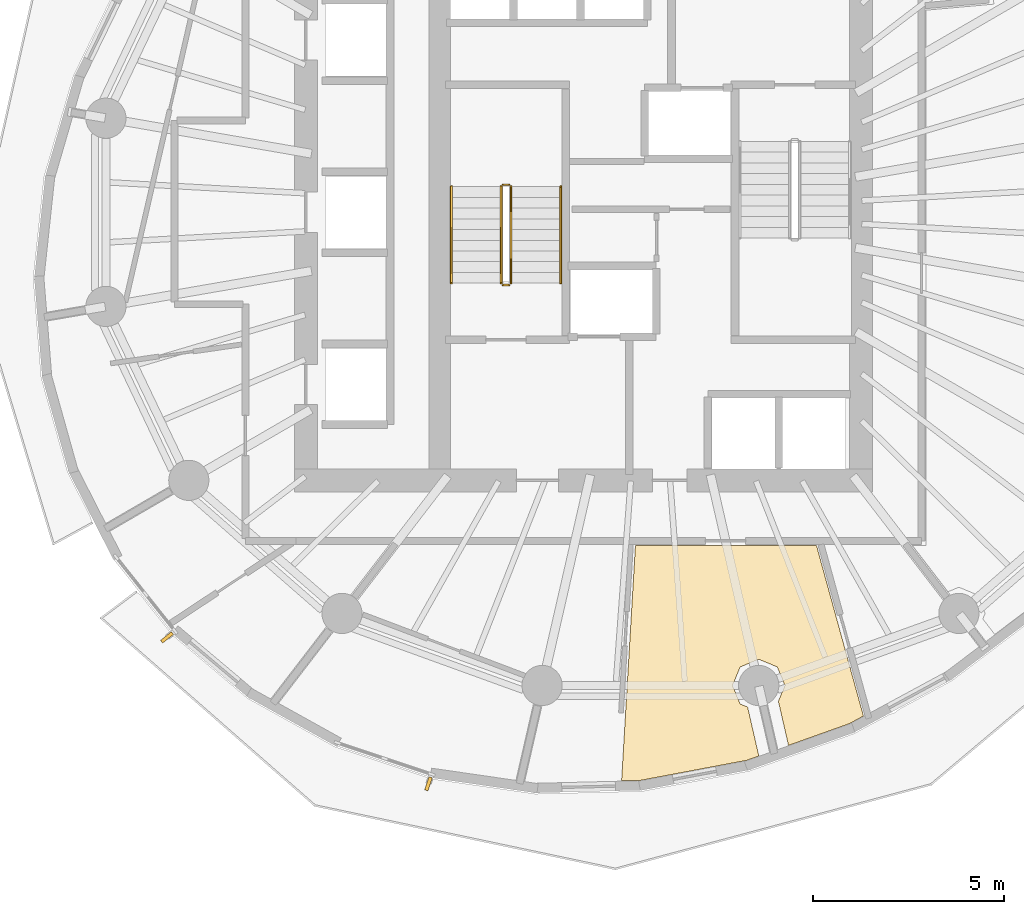
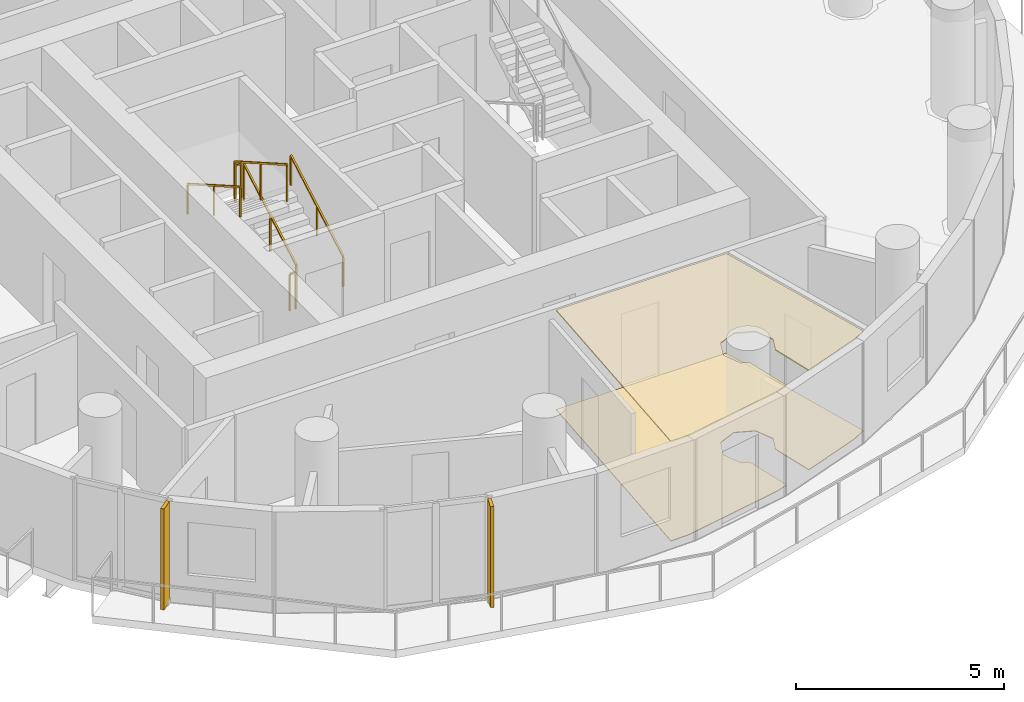
# One storey, part 8 of 12: 6 railings, 2 coverings, 2 shading devices.
"""IFC4 building model written with IfcOpenShell, lengths in metres."""

from ifc_helpers import new_model, si_unit, direction, frame, origin, origin_2d, place, context, subcontext, project, spatial, polyline, rectangle, outline, extrude, material, layer, layer_set, type_object, element, save


model = new_model("IFC4")

# Units and contexts
model_context = context("Model", 3, precision=1e-05, world=origin(), true_north=direction((0.0, 1.0)))
body_context = subcontext(model_context, "Body", "Model", "MODEL_VIEW")
ifc_project = project(units=[si_unit("LENGTHUNIT", "METRE"), si_unit("AREAUNIT", "SQUARE_METRE"), si_unit("VOLUMEUNIT", "CUBIC_METRE"), si_unit("PLANEANGLEUNIT", "RADIAN"), si_unit("MASSUNIT", "GRAM", prefix="KILO")], contexts=[model_context])

# Site, building, storey
site_placement = place(None, origin())
site = spatial("IfcSite", under=ifc_project, at=site_placement, CompositionType="ELEMENT")
building_placement = place(site_placement, origin())
building = spatial("IfcBuilding", under=site, at=building_placement, Name="Veldorim Arch Residences", CompositionType="ELEMENT")
storey_placement = place(building_placement, frame((0.0, 0.0, 136.159912109375)))
storey = spatial("IfcBuildingStorey", under=building, at=storey_placement, Name="L40", CompositionType="ELEMENT", Elevation=136.159912109375)

# Railings
ifc_material_1 = material(Name="Steel S355", Category="steel")
railing_type_1 = type_object("IfcRailingType", Name="Galvanised Steel Stair Safety Guardrail 1100", PredefinedType="GUARDRAIL", material=ifc_material_1)
railing_1_placement = place(storey_placement, frame((28.360107421875, 22.14990234375, 0.16015625)))
element("IfcRailing", 1, at=railing_1_placement, inside=storey, type_object=railing_type_1, Name="L40 ST-1 stair guard 1", PredefinedType="GUARDRAIL", context=body_context, shape_type="SweptSolid", body=[
    extrude(rectangle(XDim=0.048095703125, YDim=0.048095703125, at=origin_2d()), frame((0.0, 0.0, 1.076171875), z_axis=(0.0, 0.868253494771, 0.496120820787), x_axis=(-1.0, 0.0, 0.0)), (0.0, 0.0, 1.0), 2.90234375),
    extrude(rectangle(XDim=0.0419921875, YDim=0.0419921875, at=origin_2d()), origin(), (0.0, 0.0, 1.0), 1.052001953125),
    extrude(rectangle(XDim=0.0419921875, YDim=0.0419921875, at=origin_2d()), frame((0.0, 1.260009765625, 0.719970703125)), (0.0, 0.0, 1.0), 1.052001953125),
    extrude(rectangle(XDim=0.0419921875, YDim=0.0419921875, at=origin_2d()), frame((0.0, 2.52001953125, 1.43994140625)), (0.0, 0.0, 1.0), 1.052001953125),
])
railing_2_placement = place(storey_placement, frame((28.31005859375, 24.719970703125, 1.60009765625)))
element("IfcRailing", 2, at=railing_2_placement, inside=storey, type_object=railing_type_1, Name="L40 ST-1 stair guard 2", PredefinedType="GUARDRAIL", context=body_context, shape_type="SweptSolid", body=[
    extrude(rectangle(XDim=0.048095703125, YDim=0.048095703125, at=origin_2d()), frame((0.0, 0.0, 1.076171875), z_axis=(-1.0, 0.0, 0.0), x_axis=(0.0, -1.0, 0.0)), (0.0, 0.0, 1.0), 0.16015625),
    extrude(rectangle(XDim=0.0419921875, YDim=0.0419921875, at=origin_2d()), origin(), (0.0, 0.0, 1.0), 1.052001953125),
    extrude(rectangle(XDim=0.0419921875, YDim=0.0419921875, at=origin_2d()), frame((-0.16015625, 0.0, 0.0)), (0.0, 0.0, 1.0), 1.052001953125),
])
railing_3_placement = place(storey_placement, frame((28.10009765625, 24.669921875, 1.760009765625)))
element("IfcRailing", 3, at=railing_3_placement, inside=storey, type_object=railing_type_1, Name="L40 ST-1 stair guard 3", PredefinedType="GUARDRAIL", context=body_context, shape_type="SweptSolid", body=[
    extrude(rectangle(XDim=0.048095703125, YDim=0.048095703125, at=origin_2d()), frame((0.0, 0.0, 1.076171875), z_axis=(0.0, -0.868217259934, 0.496184229447), x_axis=(1.0, 0.0, 0.0)), (0.0, 0.0, 1.0), 2.902587890625),
    extrude(rectangle(XDim=0.0419921875, YDim=0.0419921875, at=origin_2d()), origin(), (0.0, 0.0, 1.0), 1.052001953125),
    extrude(rectangle(XDim=0.0419921875, YDim=0.0419921875, at=origin_2d()), frame((0.0, -1.260009765625, 0.72021484375)), (0.0, 0.0, 1.0), 1.052001953125),
    extrude(rectangle(XDim=0.0419921875, YDim=0.0419921875, at=origin_2d()), frame((0.0, -2.52001953125, 1.440185546875)), (0.0, 0.0, 1.0), 1.052001953125),
])
railing_4_placement = place(storey_placement, frame((28.31005859375, 22.10009765625, 0.0)))
element("IfcRailing", 4, at=railing_4_placement, inside=storey, type_object=railing_type_1, Name="L40 ST-1 stair guard 4", PredefinedType="GUARDRAIL", context=body_context, shape_type="SweptSolid", body=[
    extrude(rectangle(XDim=0.048095703125, YDim=0.048095703125, at=origin_2d()), frame((0.0, 0.0, 1.076171875), z_axis=(-1.0, 0.0, 0.0), x_axis=(0.0, -1.0, 0.0)), (0.0, 0.0, 1.0), 0.16015625),
    extrude(rectangle(XDim=0.0419921875, YDim=0.0419921875, at=origin_2d()), origin(), (0.0, 0.0, 1.0), 1.052001953125),
    extrude(rectangle(XDim=0.0419921875, YDim=0.0419921875, at=origin_2d()), frame((-0.16015625, 0.0, 0.0)), (0.0, 0.0, 1.0), 1.052001953125),
])

# Coverings
ifc_material_2 = material(Name="Acoustic Gypsum & Mineral Fibre", Category="gypsum")
ifc_layer_1 = layer(ifc_material_2, 0.034912109375, Name="Perforated Acoustic Mineral-Fibre Ceiling 35")
ifc_layer_set_1 = layer_set([ifc_layer_1], Name="Acoustic Gypsum & Mineral Fibre")
covering_type_1 = type_object("IfcCoveringType", Name="Perforated Acoustic Mineral-Fibre Ceiling 35", PredefinedType="CEILING", material=ifc_layer_set_1)
covering_1_placement = place(storey_placement, frame((0.0, 0.0, 2.905029296875)))
element("IfcCovering", 5, at=covering_1_placement, inside=storey, type_object=covering_type_1, Name="L40 acoustic suspended ceiling 01", PredefinedType="CEILING", context=body_context, shape_type="SweptSolid", body=[
    extrude(outline(polyline([(35.513671875, 11.64208984375), (35.31298828125, 12.12646484375), (34.828857421875, 12.326904296875), (34.344482421875, 12.12646484375), (34.143798828125, 11.64208984375), (34.344482421875, 11.15771484375), (34.538818359375, 11.077392578125), (34.8310546875, 9.80078125), (34.51171875, 9.686767578125), (31.7548828125, 9.16650390625), (31.246826171875, 9.15380859375), (31.6083984375, 15.300048828125), (36.3369140625, 15.300048828125), (37.563232421875, 10.844482421875), (37.19287109375, 10.64404296875), (35.606201171875, 10.07763671875), (35.342529296875, 11.229248046875), (35.513671875, 11.64208984375)])), origin(), (0.0, 0.0, 1.0), 0.03515625),
])
ifc_material_3 = material(Name="Porcelain Ceramic Tile", Category="ceramic")
ifc_layer_2 = layer(ifc_material_3, 0.02001953125, Name="Slip-Resistant Porcelain & Vinyl Floor Finish 20")
ifc_layer_set_2 = layer_set([ifc_layer_2], Name="Porcelain Ceramic Tile")
covering_type_2 = type_object("IfcCoveringType", Name="Slip-Resistant Porcelain & Vinyl Floor Finish 20", PredefinedType="FLOORING", material=ifc_layer_set_2)
covering_2_placement = place(storey_placement, origin())
element("IfcCovering", 6, at=covering_2_placement, inside=storey, type_object=covering_type_2, Name="L40 porcelain floor finish 01", PredefinedType="FLOORING", context=body_context, shape_type="SweptSolid", body=[
    extrude(outline(polyline([(35.513671875, 11.64208984375), (35.31298828125, 12.12646484375), (34.828857421875, 12.326904296875), (34.344482421875, 12.12646484375), (34.143798828125, 11.64208984375), (34.344482421875, 11.15771484375), (34.538818359375, 11.077392578125), (34.8310546875, 9.80078125), (34.51171875, 9.686767578125), (31.7548828125, 9.16650390625), (31.246826171875, 9.15380859375), (31.6083984375, 15.300048828125), (36.3369140625, 15.300048828125), (37.563232421875, 10.844482421875), (37.19287109375, 10.64404296875), (35.606201171875, 10.07763671875), (35.342529296875, 11.229248046875), (35.513671875, 11.64208984375)])), origin(), (0.0, 0.0, 1.0), 0.02001953125),
])

# Railings
ifc_material_4 = material(Name="Stainless Steel", Category="steel")
railing_type_2 = type_object("IfcRailingType", Name="Tubular Steel Continuous Wall Handrail 900", PredefinedType="HANDRAIL", material=ifc_material_4)
railing_5_placement = place(storey_placement, frame((29.659912109375, 22.14990234375, 0.16015625)))
element("IfcRailing", 7, at=railing_5_placement, inside=storey, type_object=railing_type_2, Name="L40 ST-1 stair handrail 1", PredefinedType="HANDRAIL", context=body_context, shape_type="SweptSolid", body=[
    extrude(rectangle(XDim=0.048095703125, YDim=0.048095703125, at=origin_2d()), frame((0.0, 0.0, 0.8759765625), z_axis=(0.0, 0.868253494771, 0.496120820787), x_axis=(-1.0, 0.0, 0.0)), (0.0, 0.0, 1.0), 2.90234375),
    extrude(rectangle(XDim=0.0419921875, YDim=0.0419921875, at=origin_2d()), origin(), (0.0, 0.0, 1.0), 0.851806640625),
    extrude(rectangle(XDim=0.0419921875, YDim=0.0419921875, at=origin_2d()), frame((0.0, 1.260009765625, 0.719970703125)), (0.0, 0.0, 1.0), 0.851806640625),
    extrude(rectangle(XDim=0.0419921875, YDim=0.0419921875, at=origin_2d()), frame((0.0, 2.52001953125, 1.43994140625)), (0.0, 0.0, 1.0), 0.851806640625),
])
railing_6_placement = place(storey_placement, frame((26.800048828125, 24.669921875, 1.760009765625)))
element("IfcRailing", 8, at=railing_6_placement, inside=storey, type_object=railing_type_2, Name="L40 ST-1 stair handrail 2", PredefinedType="HANDRAIL", context=body_context, shape_type="SweptSolid", body=[
    extrude(rectangle(XDim=0.048095703125, YDim=0.048095703125, at=origin_2d()), frame((0.0, 0.0, 0.8759765625), z_axis=(0.0, -0.868217259934, 0.496184229447), x_axis=(1.0, 0.0, 0.0)), (0.0, 0.0, 1.0), 2.902587890625),
    extrude(rectangle(XDim=0.0419921875, YDim=0.0419921875, at=origin_2d()), origin(), (0.0, 0.0, 1.0), 0.851806640625),
    extrude(rectangle(XDim=0.0419921875, YDim=0.0419921875, at=origin_2d()), frame((0.0, -1.260009765625, 0.72021484375)), (0.0, 0.0, 1.0), 0.851806640625),
    extrude(rectangle(XDim=0.0419921875, YDim=0.0419921875, at=origin_2d()), frame((0.0, -2.52001953125, 1.440185546875)), (0.0, 0.0, 1.0), 0.851806640625),
])

# Shading devices
ifc_material_5 = material(Name="Terracotta Ceramic", Category="masonry")
ifc_layer_3 = layer(ifc_material_5, 0.090087890625, Name="Vertical Extruded Terracotta Baguette Sun-Shading Fin")
ifc_layer_set_3 = layer_set([ifc_layer_3], Name="Terracotta Ceramic")
shading_device_type = type_object("IfcShadingDeviceType", Name="Vertical Extruded Terracotta Baguette Sun-Shading Fin", PredefinedType="USERDEFINED", material=ifc_layer_set_3)
for number, where, z_axis, x_axis, name in (
    (9, (19.375, 12.898681640625, 0.0), (0.0, 0.0, 1.0), (-0.622514636638, 0.782608156852, 0.0), "L40 vertical terracotta sun-shading fin 19"),
    (10, (26.203857421875, 9.07373046875, 0.0), (0.0, 0.0, 1.0), (-0.948931088342, 0.315483422034, 0.0), "L40 vertical terracotta sun-shading fin 22"),
):
    element("IfcShadingDevice", number, at=place(storey_placement, frame(where, z_axis=z_axis, x_axis=x_axis)), inside=storey, type_object=shading_device_type, Name=name, ObjectType="FIN", PredefinedType="USERDEFINED", context=body_context, shape_type="SweptSolid", body=[
        extrude(rectangle(XDim=0.090087890625, YDim=0.360107421875, at=origin_2d()), origin(), (0.0, 0.0, 1.0), 2.9599609375),
    ])

save(model, "model.ifc")
